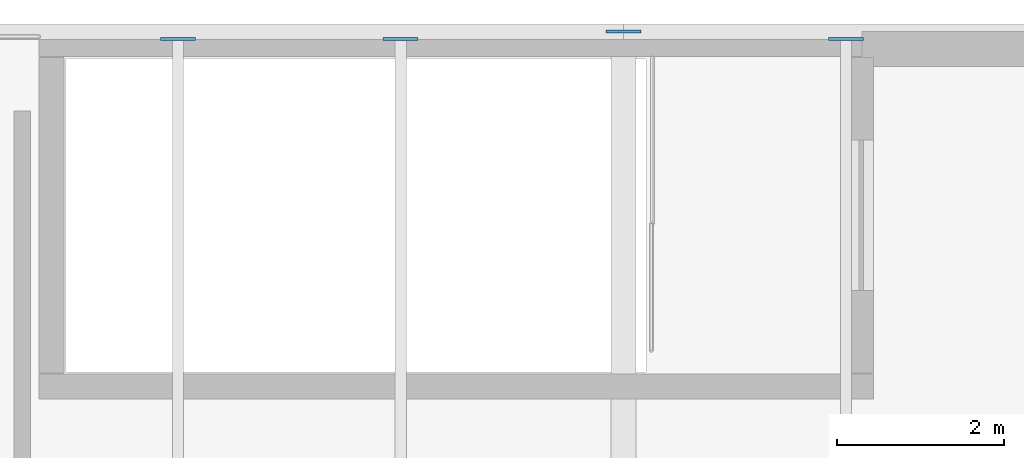
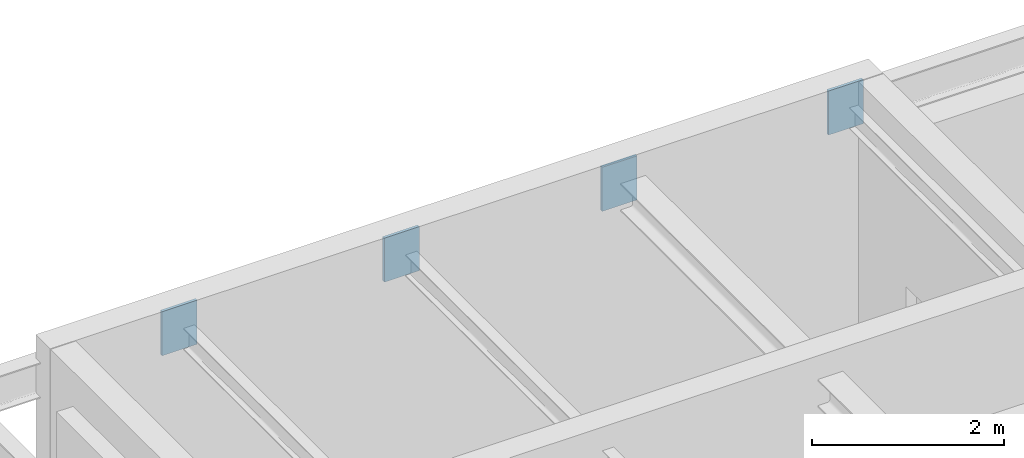
# One storey, part 79 of 124: 4 plates.
"""IFC4 building model written with IfcOpenShell, lengths in metres."""

from ifc_helpers import new_model, si_unit, direction, frame, origin, origin_2d, place, context, subcontext, project, spatial, rectangle, extrude, material, layer, layer_set, type_object, element, save


model = new_model("IFC4")

# Units and contexts
model_context = context("Model", 3, precision=1e-05, world=origin(), true_north=direction((0.0, 1.0)))
body_context = subcontext(model_context, "Body", "Model", "MODEL_VIEW")
ifc_project = project(units=[si_unit("LENGTHUNIT", "METRE"), si_unit("AREAUNIT", "SQUARE_METRE"), si_unit("VOLUMEUNIT", "CUBIC_METRE"), si_unit("PLANEANGLEUNIT", "RADIAN"), si_unit("MASSUNIT", "GRAM", prefix="KILO")], contexts=[model_context])

# Site, building, storey
site_placement = place(None, origin())
site = spatial("IfcSite", under=ifc_project, at=site_placement, CompositionType="ELEMENT")
building_placement = place(site_placement, origin())
building = spatial("IfcBuilding", under=site, at=building_placement, Name="Sundkrona Museum", CompositionType="ELEMENT")
storey_placement = place(building_placement, frame((0.0, 0.0, 17.60009765625)))
storey = spatial("IfcBuildingStorey", under=building, at=storey_placement, Name="L03", CompositionType="ELEMENT", Elevation=17.60009765625)

# Plates
ifc_material = material(Name="Steel S355J2", Category="steel")
ifc_layer = layer(ifc_material, 0.034912109375)
ifc_layer_set = layer_set([ifc_layer], Name="Steel S355J2")
plate_type = type_object("IfcPlateType", Name="EP-1", PredefinedType="USERDEFINED", material=ifc_layer_set)
for number, where, z_axis, x_axis, name in (
    (1, (144.0, 114.0, 3.394775390625), (0.0, 0.0, 1.0), (1.0, 0.0, 0.0), "Core Wall Cast-In Embed Plate BM-L03-X-1552-2"),
    (2, (138.666748046875, 113.910888671875, 3.48486328125), (0.0, 0.0, 1.0), (1.0, 0.0, 0.0), "Core Wall Cast-In Embed Plate JS-L03-1106-2"),
    (3, (141.333251953125, 113.910888671875, 3.48486328125), (0.0, 0.0, 1.0), (1.0, 0.0, 0.0), "Core Wall Cast-In Embed Plate JS-L03-1107-2"),
    (4, (146.666748046875, 113.910888671875, 3.48486328125), (0.0, 0.0, 1.0), (1.0, 0.0, 0.0), "Core Wall Cast-In Embed Plate JS-L03-1131-2"),
):
    element("IfcPlate", number, at=place(storey_placement, frame(where, z_axis=z_axis, x_axis=x_axis)), inside=storey, type_object=plate_type, Name=name, ObjectType="GUSSET PLATE", PredefinedType="USERDEFINED", context=body_context, shape_type="SweptSolid", body=[
        extrude(rectangle(XDim=0.419921875, YDim=0.034912109375, at=origin_2d()), origin(), (0.0, 0.0, 1.0), 0.56005859375),
    ])

save(model, "model.ifc")
